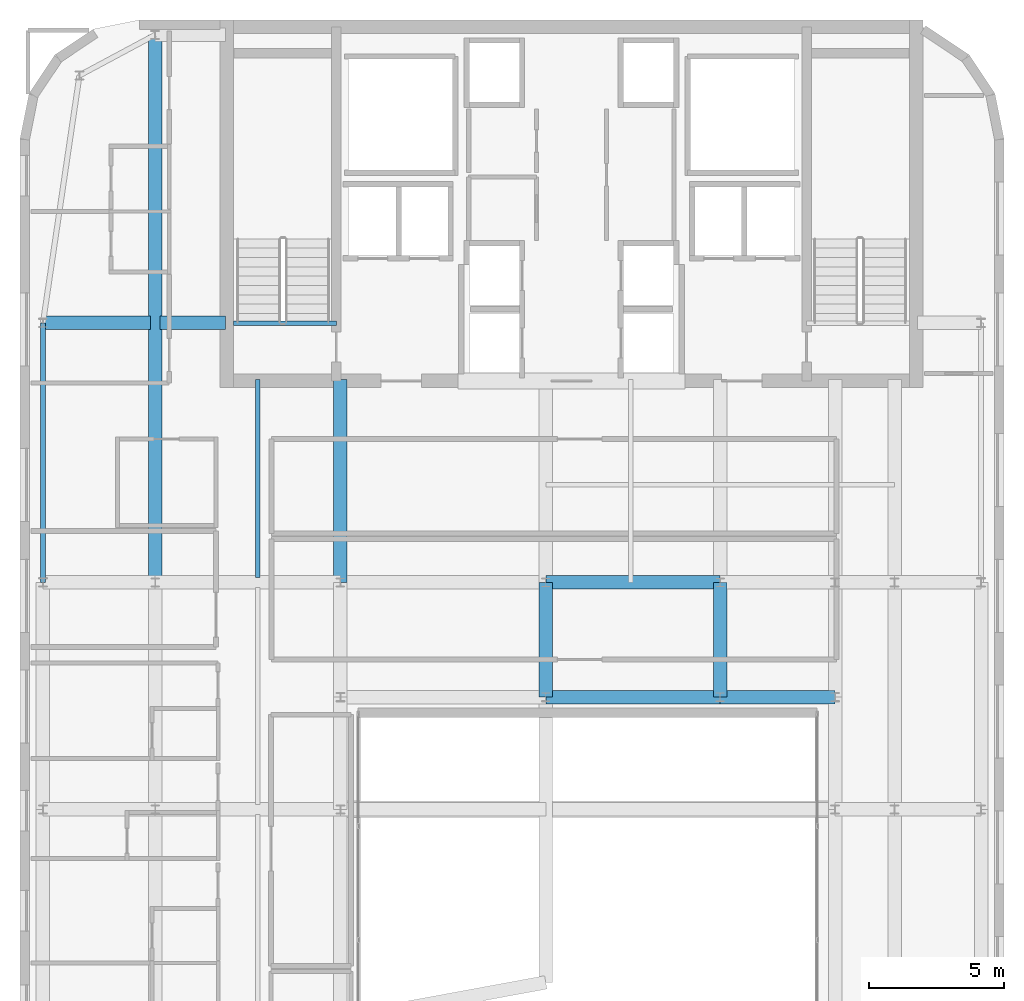
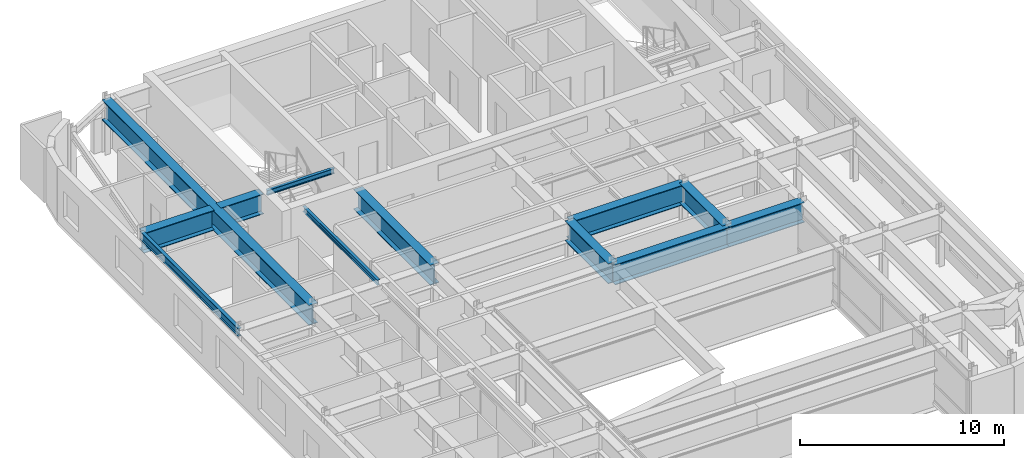
# One storey, part 13 of 21: 12 beams.
"""IFC4 building model written with IfcOpenShell, lengths in metres."""

import ifcopenshell
import ifcopenshell.guid

model = None  # the IFC model being written
_history = None  # IfcOwnerHistory: only IFC2X3 demands one
_inside = {}  # id of a spatial element -> (the spatial element, [elements in it])
_under = {}  # id of a project, library or spatial element -> (it, [spatial elements below it])
_declared = {}  # id of a project -> (the project, [libraries it declares])
_typed = {}  # id of a type object -> (the type object, [elements of that type])
_made_of = {}  # id of a material, layer set ... -> (it, [elements and type objects made of it])


def new_model(schema):
    """Start an empty IFC model of exactly this schema.

    Asked for "IFC4X3", IfcOpenShell would pick the latest addendum, in which some entities
    have other attributes; the version numbers below select the first issue.
    IFC2X3 requires an IfcOwnerHistory on every rooted entity: one is made here for all.
    """
    global model, _history
    if schema == "IFC4X3":
        model = ifcopenshell.file(schema_version=(4, 3, 0, 0))
    else:
        model = ifcopenshell.file(schema=schema)
    _inside.clear()
    _under.clear()
    _declared.clear()
    _typed.clear()
    _made_of.clear()
    _history = None
    if model.schema == "IFC2X3":
        org = make("IfcOrganization", Name="unknown")
        user = make(
            "IfcPersonAndOrganization",
            ThePerson=make("IfcPerson", FamilyName="unknown"),
            TheOrganization=org,
        )
        app = make(
            "IfcApplication",
            ApplicationDeveloper=org,
            Version="unknown",
            ApplicationFullName="unknown",
            ApplicationIdentifier="unknown",
        )
        _history = make(
            "IfcOwnerHistory",
            OwningUser=user,
            OwningApplication=app,
            ChangeAction="ADDED",
            CreationDate=0,
        )
    return model


def make(cls, **values):
    """One entity of the class cls with the attributes given. An attribute that is None is left unset."""
    return model.create_entity(
        cls, **{name: value for name, value in values.items() if value is not None}
    )


def rooted(cls, **values):
    """An entity with a GlobalId (a new one), such as an element, a storey or a relation."""
    return make(cls, GlobalId=ifcopenshell.guid.new(), OwnerHistory=_history, **values)


def si_unit(unit_type, name, prefix=None):
    """IfcSIUnit, for example si_unit("LENGTHUNIT", "METRE", prefix="MILLI")."""
    return make("IfcSIUnit", UnitType=unit_type, Prefix=prefix, Name=name)


def assignment(units):
    """IfcUnitAssignment: the units of a project."""
    return None if units is None else make("IfcUnitAssignment", Units=units)


def point(xyz):
    """IfcCartesianPoint."""
    return None if xyz is None else make("IfcCartesianPoint", Coordinates=xyz)


def direction(xyz):
    """IfcDirection."""
    return None if xyz is None else make("IfcDirection", DirectionRatios=xyz)


def frame(location, z_axis=None, x_axis=None):
    """IfcAxis2Placement3D, a coordinate frame: its origin and axes. An axis left out is left unset."""
    return make(
        "IfcAxis2Placement3D",
        Location=point(location),
        Axis=direction(z_axis),
        RefDirection=direction(x_axis),
    )


def frame_2d(location, x_axis=None):
    """IfcAxis2Placement2D, a coordinate frame in the plane: its origin and x axis."""
    return make(
        "IfcAxis2Placement2D", Location=point(location), RefDirection=direction(x_axis)
    )


def origin():
    """The frame at (0, 0, 0) with its axes left unset."""
    return frame((0.0, 0.0, 0.0))


def origin_2d():
    """The frame at (0, 0) in the plane with its x axis left unset."""
    return frame_2d((0.0, 0.0))


def place(relative_to, where):
    """IfcLocalPlacement: puts the frame where relative to a parent placement (None: the world)."""
    return make(
        "IfcLocalPlacement", PlacementRelTo=relative_to, RelativePlacement=where
    )


def context(
    kind, dimensions, precision=None, world=None, true_north=None, identifier=None
):
    """IfcGeometricRepresentationContext, for example the 3D "Model" context."""
    return make(
        "IfcGeometricRepresentationContext",
        ContextIdentifier=identifier,
        ContextType=kind,
        CoordinateSpaceDimension=dimensions,
        Precision=precision,
        WorldCoordinateSystem=world,
        TrueNorth=true_north,
    )


def subcontext(parent, identifier, kind, view, scale=None):
    """IfcGeometricRepresentationSubContext, for example "Body" below "Model"."""
    return make(
        "IfcGeometricRepresentationSubContext",
        ContextIdentifier=identifier,
        ContextType=kind,
        ParentContext=parent,
        TargetScale=scale,
        TargetView=view,
    )


def project(units=None, contexts=None):
    """IfcProject with its units and contexts."""
    return rooted(
        "IfcProject",
        Name="project",
        RepresentationContexts=contexts,
        UnitsInContext=assignment(units),
    )


def spatial(cls, under=None, at=None, **own):
    """A site, building, storey or space (cls), placed at a placement, below another one or the project."""
    s = rooted(cls, ObjectPlacement=at, **own)
    if under is not None:
        _under.setdefault(under.id(), (under, []))[1].append(s)
    return s


def profile(cls, at=None, kind="AREA", **sizes):
    """A parametric profile (cls). Its sizes go by their IFC names, for example OverallWidth=200.0."""
    return make(cls, ProfileType=kind, Position=at, **sizes)


def i_section(**sizes):
    """IfcIShapeProfileDef."""
    return profile("IfcIShapeProfileDef", **sizes)


def extrude(swept, where, along, depth):
    """IfcExtrudedAreaSolid: the profile swept, set in the frame where, extruded along a direction by depth."""
    return make(
        "IfcExtrudedAreaSolid",
        SweptArea=swept,
        Position=where,
        ExtrudedDirection=direction(along),
        Depth=depth,
    )


def shape(context_of_items, identifier, shape_type, items):
    """IfcShapeRepresentation: the items that make up one representation, for example the "Body"."""
    return make(
        "IfcShapeRepresentation",
        ContextOfItems=context_of_items,
        RepresentationIdentifier=identifier,
        RepresentationType=shape_type,
        Items=items,
    )


def source(mapping_origin, context_of_items, identifier, shape_type, items):
    """IfcRepresentationMap: a shape defined once, which mapped items show again and again."""
    return make(
        "IfcRepresentationMap",
        MappingOrigin=mapping_origin,
        MappedRepresentation=shape(context_of_items, identifier, shape_type, items),
    )


def transform(
    local_origin,
    x_axis=None,
    y_axis=None,
    z_axis=None,
    scale=None,
    scale2=None,
    scale3=None,
    uniform=True,
):
    """IfcCartesianTransformationOperator3D, or its non-uniform kind. x_axis, y_axis, z_axis: its Axis1, 2, 3."""
    if uniform:
        return make(
            "IfcCartesianTransformationOperator3D",
            Axis1=direction(x_axis),
            Axis2=direction(y_axis),
            LocalOrigin=point(local_origin),
            Scale=scale,
            Axis3=direction(z_axis),
        )
    return make(
        "IfcCartesianTransformationOperator3DnonUniform",
        Axis1=direction(x_axis),
        Axis2=direction(y_axis),
        LocalOrigin=point(local_origin),
        Scale=scale,
        Axis3=direction(z_axis),
        Scale2=scale2,
        Scale3=scale3,
    )


def mapped(mapping_source, mapping_target):
    """IfcMappedItem: shows the shape of a source again, moved by a transform."""
    return make(
        "IfcMappedItem", MappingSource=mapping_source, MappingTarget=mapping_target
    )


def material(Name=None, Category=None):
    """IfcMaterial."""
    return make("IfcMaterial", Name=Name, Category=Category)


def material_profile(
    of_material, cross_section, Name=None, Category=None, Priority=None
):
    """IfcMaterialProfile: a cross section and its material."""
    return make(
        "IfcMaterialProfile",
        Name=Name,
        Material=of_material,
        Profile=cross_section,
        Priority=Priority,
        Category=Category,
    )


def profile_set(profiles, Name=None, composite=None):
    """IfcMaterialProfileSet."""
    return make(
        "IfcMaterialProfileSet",
        Name=Name,
        MaterialProfiles=profiles,
        CompositeProfile=composite,
    )


def made_of(thing, what):
    """Note that an element or type object is made of a material, layer set ...; save() writes the relation."""
    if what is not None:
        _made_of.setdefault(what.id(), (what, []))[1].append(thing)
    return thing


def type_object(cls, material=None, **own):
    """A type object (cls), such as IfcWallType, which elements share."""
    return made_of(rooted(cls, **own), material)


def type_shapes(of_type, sources):
    """Give a type object the sources (RepresentationMaps) that its elements show as mapped items."""
    of_type.RepresentationMaps = sources


def element(
    cls,
    number,
    at=None,
    inside=None,
    cuts=None,
    type_object=None,
    material=None,
    context=None,
    identifier="Body",
    shape_type=None,
    held_by="IfcProductDefinitionShape",
    body=None,
    shapes=None,
    **own,
):
    """One element of the class cls, such as IfcWall. Its Tag is "e" and its number.

    at: its placement. inside: the storey or other place that contains it. cuts: it is an
    opening in that element (IfcRelVoidsElement). A single representation is given by context,
    identifier, shape_type and body (its items); several are given by shapes. held_by: the class
    of the entity that holds the representations. save() writes the other relations.
    """
    e = rooted(cls, Tag="e%d" % number, ObjectPlacement=at, **own)
    if body is not None:
        shapes = [shape(context, identifier, shape_type, body)]
    if shapes is not None:
        e.Representation = make(held_by, Representations=shapes)
    if inside is not None:
        _inside.setdefault(inside.id(), (inside, []))[1].append(e)
    if cuts is not None:
        rooted(
            "IfcRelVoidsElement", RelatingBuildingElement=cuts, RelatedOpeningElement=e
        )
    if type_object is not None:
        _typed.setdefault(type_object.id(), (type_object, []))[1].append(e)
    return made_of(e, material)


def aggregate(whole, parts):
    """IfcRelAggregates: a whole, such as a stair, and the parts it consists of."""
    return rooted("IfcRelAggregates", RelatingObject=whole, RelatedObjects=parts)


def save(model, path):
    """Write the relations noted so far, then the file.

    IfcRelAggregates (storeys below a building ...), IfcRelContainedInSpatialStructure (elements
    in a storey), IfcRelDefinesByType, IfcRelAssociatesMaterial and IfcRelDeclares: one each for
    every whole, place, type object, material and project.
    """
    for whole, parts in _under.values():
        aggregate(whole, parts)
    for where, things in _inside.values():
        rooted(
            "IfcRelContainedInSpatialStructure",
            RelatedElements=things,
            RelatingStructure=where,
        )
    for kind, things in _typed.values():
        rooted("IfcRelDefinesByType", RelatedObjects=things, RelatingType=kind)
    for what, things in _made_of.values():
        rooted("IfcRelAssociatesMaterial", RelatedObjects=things, RelatingMaterial=what)
    for by, libraries in _declared.values():
        rooted("IfcRelDeclares", RelatingContext=by, RelatedDefinitions=libraries)
    model.write(path)


model = new_model("IFC4")

# Units and contexts
model_context = context("Model", 3, precision=1e-05, world=origin(), true_north=direction((0.0, 1.0)))
body_context = subcontext(model_context, "Body", "Model", "MODEL_VIEW")
ifc_project = project(units=[si_unit("LENGTHUNIT", "METRE"), si_unit("AREAUNIT", "SQUARE_METRE"), si_unit("VOLUMEUNIT", "CUBIC_METRE"), si_unit("PLANEANGLEUNIT", "RADIAN"), si_unit("MASSUNIT", "GRAM", prefix="KILO")], contexts=[model_context])

# Site, building, storey
site_placement = place(None, origin())
site = spatial("IfcSite", under=ifc_project, at=site_placement, CompositionType="ELEMENT")
building_placement = place(site_placement, origin())
building = spatial("IfcBuilding", under=site, at=building_placement, Name="Tolvann Quenvar Hotel", CompositionType="ELEMENT")
storey_placement = place(building_placement, frame((0.0, 0.0, 266.5)))
storey = spatial("IfcBuildingStorey", under=building, at=storey_placement, Name="L71", CompositionType="ELEMENT", Elevation=266.5)

# Beams
ifc_material = material(Name="Steel Grade 350", Category="steel")
ifc_material_profile_1 = material_profile(ifc_material, i_section(OverallWidth=0.5, OverallDepth=1.199951171875, WebThickness=0.01611328125, FlangeThickness=0.0400390625, at=origin_2d()), Name="1200WB455")
ifc_profile_set_1 = profile_set([ifc_material_profile_1], Name="Steel Grade 350")
beam_type_1 = type_object("IfcBeamType", Name="BM_TG_1200WB455", PredefinedType="USERDEFINED", material=ifc_profile_set_1)
shared_shape_1 = source(origin(), body_context, "Body", "SweptSolid", [
    extrude(i_section(OverallWidth=0.5, OverallDepth=1.199951171875, WebThickness=0.01611328125, FlangeThickness=0.0400390625, at=origin_2d()), origin(), (0.0, 0.0, 1.0), 7.5),
])
beam_1_placement = place(storey_placement, frame((14.449951171875, 24.39990234375, 2.64990234375), z_axis=(0.0, 1.0, 0.0), x_axis=(-1.0, 0.0, 0.0)))
element("IfcBeam", 1, at=beam_1_placement, inside=storey, type_object=beam_type_1, Name="BM-L71-CORE-D5", ObjectType="TRANSFER GIRDER", PredefinedType="USERDEFINED", context=body_context, shape_type="MappedRepresentation", body=[
    mapped(shared_shape_1, transform((0.0, 0.0, 0.0), x_axis=(1.0, 0.0, 0.0), y_axis=(0.0, 1.0, 0.0), z_axis=(0.0, 0.0, 1.0), scale=1.0)),
])
shared_shape_2 = source(origin(), body_context, "Body", "SweptSolid", [
    extrude(i_section(OverallWidth=0.5, OverallDepth=1.199951171875, WebThickness=0.01611328125, FlangeThickness=0.0400390625, at=origin_2d()), origin(), (0.0, 0.0, 1.0), 6.449951171875),
])
for number, where, z_axis, x_axis, name in (
    (2, (22.050048828125, 20.14990234375, 2.64990234375), (1.0, 0.0, 0.0), (0.0, 1.0, 0.0), "BM-L71-EW-4P-E4P-M4P"),
    (3, (22.050048828125, 24.39990234375, 2.64990234375), (1.0, 0.0, 0.0), (0.0, 1.0, 0.0), "BM-L71-EW-5-E5-M5"),
):
    element("IfcBeam", number, at=place(storey_placement, frame(where, z_axis=z_axis, x_axis=x_axis)), inside=storey, type_object=beam_type_1, Name=name, ObjectType="TRANSFER GIRDER", PredefinedType="USERDEFINED", context=body_context, shape_type="MappedRepresentation", body=[
        mapped(shared_shape_2, transform((0.0, 0.0, 0.0), x_axis=(1.0, 0.0, 0.0), y_axis=(0.0, 1.0, 0.0), z_axis=(0.0, 0.0, 1.0), scale=1.0)),
    ])
shared_shape_3 = source(origin(), body_context, "Body", "SweptSolid", [
    extrude(i_section(OverallWidth=0.5, OverallDepth=1.199951171875, WebThickness=0.01611328125, FlangeThickness=0.0400390625, at=origin_2d()), origin(), (0.0, 0.0, 1.0), 2.419921875),
])
beam_2_placement = place(storey_placement, frame((7.780029296875, 34.0, 2.64990234375), z_axis=(1.0, 0.0, 0.0), x_axis=(0.0, 1.0, 0.0)))
element("IfcBeam", 4, at=beam_2_placement, inside=storey, type_object=beam_type_1, Name="BM-L71-CTW-MID2", ObjectType="TRANSFER GIRDER", PredefinedType="USERDEFINED", context=body_context, shape_type="MappedRepresentation", body=[
    mapped(shared_shape_3, transform((0.0, 0.0, 0.0), x_axis=(1.0, 0.0, 0.0), y_axis=(0.0, 1.0, 0.0), z_axis=(0.0, 0.0, 1.0), scale=1.0)),
])
ifc_material_profile_2 = material_profile(ifc_material, i_section(OverallWidth=0.166015625, OverallDepth=0.306884765625, WebThickness=0.006591796875, FlangeThickness=0.01171875, FilletRadius=0.011474609375, at=origin_2d()), Name="310UB46")
ifc_profile_set_2 = profile_set([ifc_material_profile_2], Name="Steel Grade 350")
beam_type_2 = type_object("IfcBeamType", Name="BM_JOIST_310UB46", PredefinedType="JOIST", material=ifc_profile_set_2)
shared_shape_4 = source(origin(), body_context, "Body", "SweptSolid", [
    extrude(i_section(OverallWidth=0.166015625, OverallDepth=0.306884765625, WebThickness=0.006591796875, FlangeThickness=0.01171875, FilletRadius=0.011474609375, at=origin_2d()), origin(), (0.0, 0.0, 1.0), 3.800048828125),
])
beam_3_placement = place(storey_placement, frame((10.5, 33.97998046875, 3.096435546875), z_axis=(1.0, 0.0, 0.0), x_axis=(0.0, 1.0, 0.0)))
element("IfcBeam", 5, at=beam_3_placement, inside=storey, type_object=beam_type_2, Name="BM-HDR-STC1-L72", PredefinedType="JOIST", context=body_context, shape_type="MappedRepresentation", body=[
    mapped(shared_shape_4, transform((0.0, 0.0, 0.0), x_axis=(1.0, 0.0, 0.0), y_axis=(0.0, 1.0, 0.0), z_axis=(0.0, 0.0, 1.0), scale=1.0)),
])
shared_shape_5 = source(origin(), body_context, "Body", "SweptSolid", [
    extrude(i_section(OverallWidth=0.5, OverallDepth=1.199951171875, WebThickness=0.01611328125, FlangeThickness=0.0400390625, at=origin_2d()), origin(), (0.0, 0.0, 1.0), 3.969970703125),
])
beam_4_placement = place(storey_placement, frame((3.449951171875, 34.0, 2.64990234375), z_axis=(1.0, 0.0, 0.0), x_axis=(0.0, 1.0, 0.0)))
element("IfcBeam", 6, at=beam_4_placement, inside=storey, type_object=beam_type_1, Name="BM-L71-CTW-MID1", ObjectType="TRANSFER GIRDER", PredefinedType="USERDEFINED", context=body_context, shape_type="MappedRepresentation", body=[
    mapped(shared_shape_5, transform((0.0, 0.0, 0.0), x_axis=(1.0, 0.0, 0.0), y_axis=(0.0, 1.0, 0.0), z_axis=(0.0, 0.0, 1.0), scale=1.0)),
])
ifc_material_profile_3 = material_profile(ifc_material, i_section(OverallWidth=0.19091796875, OverallDepth=0.4599609375, WebThickness=0.010009765625, FlangeThickness=0.01611328125, FilletRadius=0.011474609375, at=origin_2d()), Name="460UB82")
ifc_profile_set_3 = profile_set([ifc_material_profile_3], Name="Steel Grade 350")
beam_type_3 = type_object("IfcBeamType", Name="BM_SPAND_460UB82", PredefinedType="SPANDREL", material=ifc_profile_set_3)
shared_shape_6 = source(origin(), body_context, "Body", "SweptSolid", [
    extrude(i_section(OverallWidth=0.19091796875, OverallDepth=0.4599609375, WebThickness=0.010009765625, FlangeThickness=0.01611328125, FilletRadius=0.011474609375, at=origin_2d()), origin(), (0.0, 0.0, 1.0), 9.60009765625),
])
type_shapes(beam_type_3, [shared_shape_6])
beam_5_placement = place(storey_placement, frame((3.449951171875, 24.39990234375, 3.02001953125), z_axis=(0.0, 1.0, 0.0), x_axis=(-1.0, 0.0, 0.0)))
element("IfcBeam", 7, at=beam_5_placement, inside=storey, type_object=beam_type_3, Name="BM-L71-FLK-W1", PredefinedType="SPANDREL", context=body_context, shape_type="MappedRepresentation", body=[
    mapped(shared_shape_6, transform((0.0, 0.0, 0.0), x_axis=(1.0, 0.0, 0.0), y_axis=(0.0, 1.0, 0.0), z_axis=(0.0, 0.0, 1.0), scale=1.0)),
])
shared_shape_7 = source(origin(), body_context, "Body", "SweptSolid", [
    extrude(i_section(OverallWidth=0.5, OverallDepth=1.199951171875, WebThickness=0.01611328125, FlangeThickness=0.0400390625, at=origin_2d()), origin(), (0.0, 0.0, 1.0), 4.25),
])
for number, where, z_axis, x_axis, name in (
    (8, (28.5, 20.14990234375, 2.64990234375), (1.0, 0.0, 0.0), (0.0, 1.0, 0.0), "BM-L71-EW-4P-M4P-FP4P"),
    (9, (22.050048828125, 20.14990234375, 2.64990234375), (0.0, 1.0, 0.0), (-1.0, 0.0, 0.0), "BM-L71-NS-E4P-E5"),
    (10, (28.5, 20.14990234375, 2.64990234375), (0.0, 1.0, 0.0), (-1.0, 0.0, 0.0), "BM-L71-NS-M4P-M5"),
):
    element("IfcBeam", number, at=place(storey_placement, frame(where, z_axis=z_axis, x_axis=x_axis)), inside=storey, type_object=beam_type_1, Name=name, ObjectType="TRANSFER GIRDER", PredefinedType="USERDEFINED", context=body_context, shape_type="MappedRepresentation", body=[
        mapped(shared_shape_7, transform((0.0, 0.0, 0.0), x_axis=(1.0, 0.0, 0.0), y_axis=(0.0, 1.0, 0.0), z_axis=(0.0, 0.0, 1.0), scale=1.0)),
    ])
shared_shape_8 = source(origin(), body_context, "Body", "SweptSolid", [
    extrude(i_section(OverallWidth=0.5, OverallDepth=1.199951171875, WebThickness=0.01611328125, FlangeThickness=0.0400390625, at=origin_2d()), origin(), (0.0, 0.0, 1.0), 20.25),
])
type_shapes(beam_type_1, [shared_shape_1, shared_shape_2, shared_shape_3, shared_shape_5, shared_shape_7, shared_shape_8])
beam_6_placement = place(storey_placement, frame((7.60009765625, 24.39990234375, 2.64990234375), z_axis=(0.0, 1.0, 0.0), x_axis=(-1.0, 0.0, 0.0)))
element("IfcBeam", 11, at=beam_6_placement, inside=storey, type_object=beam_type_1, Name="BM-L71-FLK-WC", ObjectType="TRANSFER GIRDER", PredefinedType="USERDEFINED", context=body_context, shape_type="MappedRepresentation", body=[
    mapped(shared_shape_8, transform((0.0, 0.0, 0.0), x_axis=(1.0, 0.0, 0.0), y_axis=(0.0, 1.0, 0.0), z_axis=(0.0, 0.0, 1.0), scale=1.0)),
])
shared_shape_9 = source(origin(), body_context, "Body", "SweptSolid", [
    extrude(i_section(OverallWidth=0.166015625, OverallDepth=0.306884765625, WebThickness=0.006591796875, FlangeThickness=0.01171875, FilletRadius=0.011474609375, at=origin_2d()), origin(), (0.0, 0.0, 1.0), 7.31494140625),
])
type_shapes(beam_type_2, [shared_shape_4, shared_shape_9])
beam_7_placement = place(storey_placement, frame((11.39990234375, 24.5849609375, 3.096435546875), z_axis=(0.0, 1.0, 0.0), x_axis=(-1.0, 0.0, 0.0)))
element("IfcBeam", 12, at=beam_7_placement, inside=storey, type_object=beam_type_2, Name="BJ-L71-114-244", PredefinedType="JOIST", context=body_context, shape_type="MappedRepresentation", body=[
    mapped(shared_shape_9, transform((0.0, 0.0, 0.0), x_axis=(1.0, 0.0, 0.0), y_axis=(0.0, 1.0, 0.0), z_axis=(0.0, 0.0, 1.0), scale=1.0)),
])

save(model, "model.ifc")
